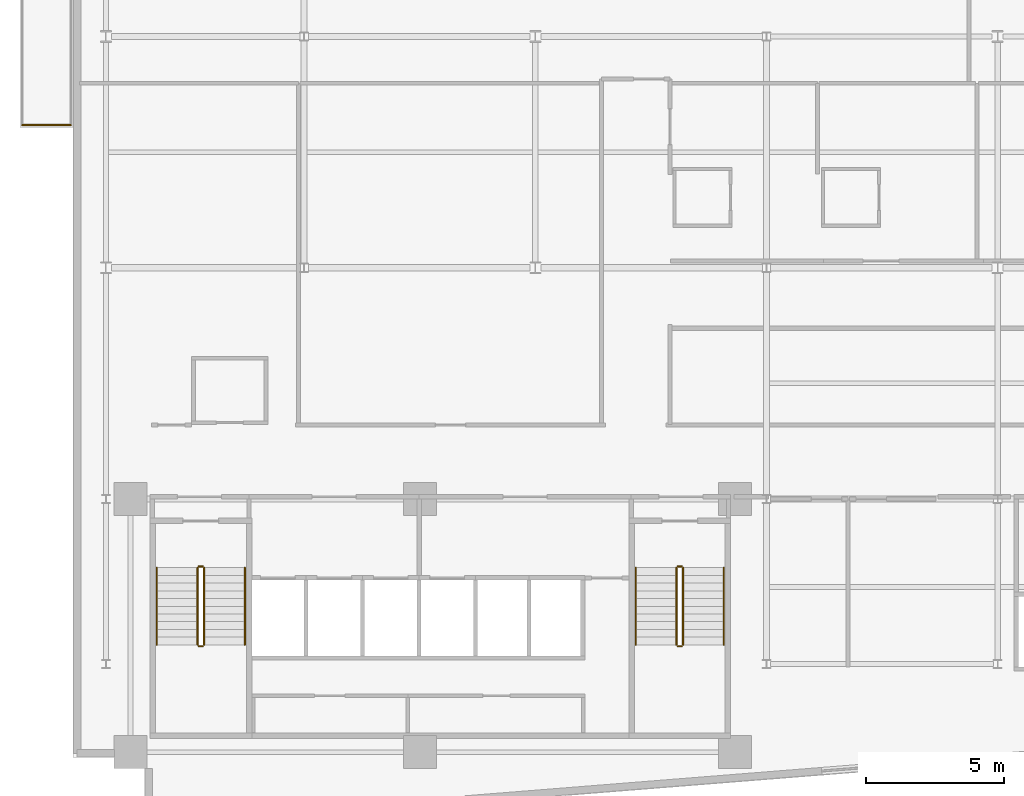
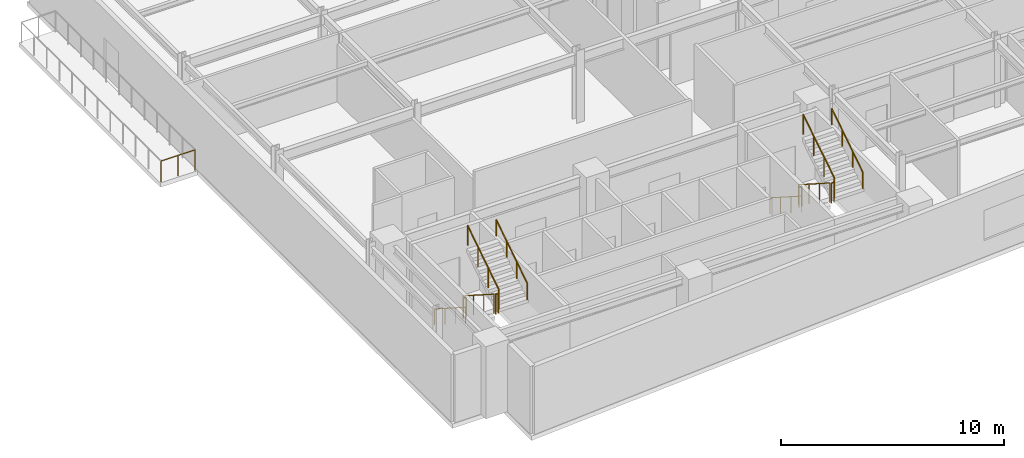
# One storey, part 14 of 18: 13 railings.
"""IFC4 building model written with IfcOpenShell, lengths in metres."""

from ifc_helpers import new_model, si_unit, direction, frame, origin, origin_2d, place, context, subcontext, project, spatial, circle, extrude, material, type_object, element, save


model = new_model("IFC4")

# Units and contexts
model_context = context("Model", 3, precision=1e-05, world=origin(), true_north=direction((0.0, 1.0)))
body_context = subcontext(model_context, "Body", "Model", "MODEL_VIEW")
ifc_project = project(units=[si_unit("LENGTHUNIT", "METRE"), si_unit("AREAUNIT", "SQUARE_METRE"), si_unit("VOLUMEUNIT", "CUBIC_METRE"), si_unit("PLANEANGLEUNIT", "RADIAN"), si_unit("MASSUNIT", "GRAM", prefix="KILO")], contexts=[model_context])

# Site, building, storey
site_placement = place(None, origin())
site = spatial("IfcSite", under=ifc_project, at=site_placement, CompositionType="ELEMENT")
building_placement = place(site_placement, origin())
building = spatial("IfcBuilding", under=site, at=building_placement, Name="Varnakote Quay Hospital", CompositionType="ELEMENT")
storey_placement = place(building_placement, frame((0.0, 0.0, 142.85009765625)))
storey = spatial("IfcBuildingStorey", under=building, at=storey_placement, Name="L35", CompositionType="ELEMENT", Elevation=142.85009765625)

# Railings
ifc_material_1 = material(Name="Anodised aluminium 6063-T6 Bronze", Category="aluminium")
railing_type_1 = type_object("IfcRailingType", Name="RLG-EXT-GUARD-1150", PredefinedType="GUARDRAIL", material=ifc_material_1)
railing_1_placement = place(storey_placement, frame((-0.075927734375, 25.580078125, 0.0)))
element("IfcRailing", 1, at=railing_1_placement, inside=storey, type_object=railing_type_1, Name="L35 Zigzag Prow Healing Terrace Safety Guard", PredefinedType="GUARDRAIL", context=body_context, shape_type="SweptSolid", body=[
    extrude(circle(Radius=0.02392578125, at=origin_2d()), frame((0.0, 0.0, 1.1259765625), z_axis=(-1.0, 0.0, 0.0), x_axis=(0.0, -1.0, 0.0)), (0.0, 0.0, 1.0), 1.76416015625),
    extrude(circle(Radius=0.02099609375, at=origin_2d()), origin(), (0.0, 0.0, 1.0), 1.101806640625),
    extrude(circle(Radius=0.02099609375, at=origin_2d()), frame((-0.882080078125, 0.0, 0.0)), (0.0, 0.0, 1.0), 1.101806640625),
    extrude(circle(Radius=0.02099609375, at=origin_2d()), frame((-1.76416015625, 0.0, 0.0)), (0.0, 0.0, 1.0), 1.101806640625),
])
ifc_material_2 = material(Name="Brushed stainless steel balustrade", Category="steel")
railing_type_2 = type_object("IfcRailingType", Name="RLG-STAIR-GUARD-1150", PredefinedType="GUARDRAIL", material=ifc_material_2)
railing_2_placement = place(storey_placement, frame((4.530029296875, 9.5, 0.179443359375)))
element("IfcRailing", 2, at=railing_2_placement, inside=storey, type_object=railing_type_2, Name="L35 ST-01 stair guard 1", PredefinedType="GUARDRAIL", context=body_context, shape_type="SweptSolid", body=[
    extrude(circle(Radius=0.02392578125, at=origin_2d()), frame((0.0, 0.0, 1.076171875), z_axis=(0.0, -0.841809871826, 0.539774156196), x_axis=(1.0, 0.0, 0.0)), (0.0, 0.0, 1.0), 3.326171875),
    extrude(circle(Radius=0.02099609375, at=origin_2d()), origin(), (0.0, 0.0, 1.0), 1.052001953125),
    extrude(circle(Radius=0.02099609375, at=origin_2d()), frame((0.0, -0.933349609375, 0.598388671875)), (0.0, 0.0, 1.0), 1.052001953125),
    extrude(circle(Radius=0.02099609375, at=origin_2d()), frame((0.0, -1.86669921875, 1.197021484375)), (0.0, 0.0, 1.0), 1.052001953125),
    extrude(circle(Radius=0.02099609375, at=origin_2d()), frame((0.0, -2.800048828125, 1.79541015625)), (0.0, 0.0, 1.0), 1.052001953125),
])
railing_3_placement = place(storey_placement, frame((4.580078125, 6.64990234375, 1.974853515625)))
element("IfcRailing", 3, at=railing_3_placement, inside=storey, type_object=railing_type_2, Name="L35 ST-01 stair guard 2", PredefinedType="GUARDRAIL", context=body_context, shape_type="SweptSolid", body=[
    extrude(circle(Radius=0.02392578125, at=origin_2d()), frame((0.0, 0.0, 1.076171875), z_axis=(1.0, 0.0, 0.0), x_axis=(0.0, 1.0, 0.0)), (0.0, 0.0, 1.0), 0.139892578125),
    extrude(circle(Radius=0.02099609375, at=origin_2d()), origin(), (0.0, 0.0, 1.0), 1.052001953125),
    extrude(circle(Radius=0.02099609375, at=origin_2d()), frame((0.139892578125, 0.0, 0.0)), (0.0, 0.0, 1.0), 1.052001953125),
])
railing_4_placement = place(storey_placement, frame((4.77001953125, 6.699951171875, 2.154541015625)))
element("IfcRailing", 4, at=railing_4_placement, inside=storey, type_object=railing_type_2, Name="L35 ST-01 stair guard 3", PredefinedType="GUARDRAIL", context=body_context, shape_type="SweptSolid", body=[
    extrude(circle(Radius=0.02392578125, at=origin_2d()), frame((0.0, 0.0, 1.076171875), z_axis=(0.0, 0.841809871826, 0.539774156196), x_axis=(-1.0, 0.0, 0.0)), (0.0, 0.0, 1.0), 3.326171875),
    extrude(circle(Radius=0.02099609375, at=origin_2d()), origin(), (0.0, 0.0, 1.0), 1.052001953125),
    extrude(circle(Radius=0.02099609375, at=origin_2d()), frame((0.0, 0.933349609375, 0.598388671875)), (0.0, 0.0, 1.0), 1.052001953125),
    extrude(circle(Radius=0.02099609375, at=origin_2d()), frame((0.0, 1.86669921875, 1.197021484375)), (0.0, 0.0, 1.0), 1.052001953125),
    extrude(circle(Radius=0.02099609375, at=origin_2d()), frame((0.0, 2.800048828125, 1.79541015625)), (0.0, 0.0, 1.0), 1.052001953125),
])
railing_5_placement = place(storey_placement, frame((4.580078125, 9.550048828125, 0.0)))
element("IfcRailing", 5, at=railing_5_placement, inside=storey, type_object=railing_type_2, Name="L35 ST-01 stair guard 4", PredefinedType="GUARDRAIL", context=body_context, shape_type="SweptSolid", body=[
    extrude(circle(Radius=0.02392578125, at=origin_2d()), frame((0.0, 0.0, 1.076171875), z_axis=(1.0, 0.0, 0.0), x_axis=(0.0, 1.0, 0.0)), (0.0, 0.0, 1.0), 0.139892578125),
    extrude(circle(Radius=0.02099609375, at=origin_2d()), origin(), (0.0, 0.0, 1.0), 1.052001953125),
    extrude(circle(Radius=0.02099609375, at=origin_2d()), frame((0.139892578125, 0.0, 0.0)), (0.0, 0.0, 1.0), 1.052001953125),
])
railing_6_placement = place(storey_placement, frame((21.929931640625, 9.5, 0.179443359375)))
element("IfcRailing", 6, at=railing_6_placement, inside=storey, type_object=railing_type_2, Name="L35 ST-02 stair guard 1", PredefinedType="GUARDRAIL", context=body_context, shape_type="SweptSolid", body=[
    extrude(circle(Radius=0.02392578125, at=origin_2d()), frame((0.0, 0.0, 1.076171875), z_axis=(0.0, -0.841809871826, 0.539774156196), x_axis=(1.0, 0.0, 0.0)), (0.0, 0.0, 1.0), 3.326171875),
    extrude(circle(Radius=0.02099609375, at=origin_2d()), origin(), (0.0, 0.0, 1.0), 1.052001953125),
    extrude(circle(Radius=0.02099609375, at=origin_2d()), frame((0.0, -0.933349609375, 0.598388671875)), (0.0, 0.0, 1.0), 1.052001953125),
    extrude(circle(Radius=0.02099609375, at=origin_2d()), frame((0.0, -1.86669921875, 1.197021484375)), (0.0, 0.0, 1.0), 1.052001953125),
    extrude(circle(Radius=0.02099609375, at=origin_2d()), frame((0.0, -2.800048828125, 1.79541015625)), (0.0, 0.0, 1.0), 1.052001953125),
])
railing_7_placement = place(storey_placement, frame((21.97998046875, 6.64990234375, 1.974853515625)))
element("IfcRailing", 7, at=railing_7_placement, inside=storey, type_object=railing_type_2, Name="L35 ST-02 stair guard 2", PredefinedType="GUARDRAIL", context=body_context, shape_type="SweptSolid", body=[
    extrude(circle(Radius=0.02392578125, at=origin_2d()), frame((0.0, 0.0, 1.076171875), z_axis=(1.0, 0.0, 0.0), x_axis=(0.0, 1.0, 0.0)), (0.0, 0.0, 1.0), 0.14013671875),
    extrude(circle(Radius=0.02099609375, at=origin_2d()), origin(), (0.0, 0.0, 1.0), 1.052001953125),
    extrude(circle(Radius=0.02099609375, at=origin_2d()), frame((0.14013671875, 0.0, 0.0)), (0.0, 0.0, 1.0), 1.052001953125),
])
railing_8_placement = place(storey_placement, frame((22.169921875, 6.699951171875, 2.154541015625)))
element("IfcRailing", 8, at=railing_8_placement, inside=storey, type_object=railing_type_2, Name="L35 ST-02 stair guard 3", PredefinedType="GUARDRAIL", context=body_context, shape_type="SweptSolid", body=[
    extrude(circle(Radius=0.02392578125, at=origin_2d()), frame((0.0, 0.0, 1.076171875), z_axis=(0.0, 0.841809871826, 0.539774156196), x_axis=(-1.0, 0.0, 0.0)), (0.0, 0.0, 1.0), 3.326171875),
    extrude(circle(Radius=0.02099609375, at=origin_2d()), origin(), (0.0, 0.0, 1.0), 1.052001953125),
    extrude(circle(Radius=0.02099609375, at=origin_2d()), frame((0.0, 0.933349609375, 0.598388671875)), (0.0, 0.0, 1.0), 1.052001953125),
    extrude(circle(Radius=0.02099609375, at=origin_2d()), frame((0.0, 1.86669921875, 1.197021484375)), (0.0, 0.0, 1.0), 1.052001953125),
    extrude(circle(Radius=0.02099609375, at=origin_2d()), frame((0.0, 2.800048828125, 1.79541015625)), (0.0, 0.0, 1.0), 1.052001953125),
])
railing_9_placement = place(storey_placement, frame((21.97998046875, 9.550048828125, 0.0)))
element("IfcRailing", 9, at=railing_9_placement, inside=storey, type_object=railing_type_2, Name="L35 ST-02 stair guard 4", PredefinedType="GUARDRAIL", context=body_context, shape_type="SweptSolid", body=[
    extrude(circle(Radius=0.02392578125, at=origin_2d()), frame((0.0, 0.0, 1.076171875), z_axis=(1.0, 0.0, 0.0), x_axis=(0.0, 1.0, 0.0)), (0.0, 0.0, 1.0), 0.14013671875),
    extrude(circle(Radius=0.02099609375, at=origin_2d()), origin(), (0.0, 0.0, 1.0), 1.052001953125),
    extrude(circle(Radius=0.02099609375, at=origin_2d()), frame((0.14013671875, 0.0, 0.0)), (0.0, 0.0, 1.0), 1.052001953125),
])
ifc_material_3 = material(Name="Brushed stainless steel handrail", Category="steel")
railing_type_3 = type_object("IfcRailingType", Name="RLG-STAIR-HND-920", PredefinedType="HANDRAIL", material=ifc_material_3)
railing_10_placement = place(storey_placement, frame((3.050048828125, 9.5, 0.179443359375)))
element("IfcRailing", 10, at=railing_10_placement, inside=storey, type_object=railing_type_3, Name="L35 ST-01 stair handrail 1", PredefinedType="HANDRAIL", context=body_context, shape_type="SweptSolid", body=[
    extrude(circle(Radius=0.02392578125, at=origin_2d()), frame((0.0, 0.0, 0.8759765625), z_axis=(0.0, -0.841809871826, 0.539774156196), x_axis=(1.0, 0.0, 0.0)), (0.0, 0.0, 1.0), 3.326171875),
    extrude(circle(Radius=0.02099609375, at=origin_2d()), origin(), (0.0, 0.0, 1.0), 0.851806640625),
    extrude(circle(Radius=0.02099609375, at=origin_2d()), frame((0.0, -0.933349609375, 0.598388671875)), (0.0, 0.0, 1.0), 0.851806640625),
    extrude(circle(Radius=0.02099609375, at=origin_2d()), frame((0.0, -1.86669921875, 1.197021484375)), (0.0, 0.0, 1.0), 0.851806640625),
    extrude(circle(Radius=0.02099609375, at=origin_2d()), frame((0.0, -2.800048828125, 1.79541015625)), (0.0, 0.0, 1.0), 0.851806640625),
])
railing_11_placement = place(storey_placement, frame((6.25, 6.699951171875, 2.154541015625)))
element("IfcRailing", 11, at=railing_11_placement, inside=storey, type_object=railing_type_3, Name="L35 ST-01 stair handrail 2", PredefinedType="HANDRAIL", context=body_context, shape_type="SweptSolid", body=[
    extrude(circle(Radius=0.02392578125, at=origin_2d()), frame((0.0, 0.0, 0.8759765625), z_axis=(0.0, 0.841809871826, 0.539774156196), x_axis=(-1.0, 0.0, 0.0)), (0.0, 0.0, 1.0), 3.326171875),
    extrude(circle(Radius=0.02099609375, at=origin_2d()), origin(), (0.0, 0.0, 1.0), 0.851806640625),
    extrude(circle(Radius=0.02099609375, at=origin_2d()), frame((0.0, 0.933349609375, 0.598388671875)), (0.0, 0.0, 1.0), 0.851806640625),
    extrude(circle(Radius=0.02099609375, at=origin_2d()), frame((0.0, 1.86669921875, 1.197021484375)), (0.0, 0.0, 1.0), 0.851806640625),
    extrude(circle(Radius=0.02099609375, at=origin_2d()), frame((0.0, 2.800048828125, 1.79541015625)), (0.0, 0.0, 1.0), 0.851806640625),
])
railing_12_placement = place(storey_placement, frame((20.449951171875, 9.5, 0.179443359375)))
element("IfcRailing", 12, at=railing_12_placement, inside=storey, type_object=railing_type_3, Name="L35 ST-02 stair handrail 1", PredefinedType="HANDRAIL", context=body_context, shape_type="SweptSolid", body=[
    extrude(circle(Radius=0.02392578125, at=origin_2d()), frame((0.0, 0.0, 0.8759765625), z_axis=(0.0, -0.841809871826, 0.539774156196), x_axis=(1.0, 0.0, 0.0)), (0.0, 0.0, 1.0), 3.326171875),
    extrude(circle(Radius=0.02099609375, at=origin_2d()), origin(), (0.0, 0.0, 1.0), 0.851806640625),
    extrude(circle(Radius=0.02099609375, at=origin_2d()), frame((0.0, -0.933349609375, 0.598388671875)), (0.0, 0.0, 1.0), 0.851806640625),
    extrude(circle(Radius=0.02099609375, at=origin_2d()), frame((0.0, -1.86669921875, 1.197021484375)), (0.0, 0.0, 1.0), 0.851806640625),
    extrude(circle(Radius=0.02099609375, at=origin_2d()), frame((0.0, -2.800048828125, 1.79541015625)), (0.0, 0.0, 1.0), 0.851806640625),
])
railing_13_placement = place(storey_placement, frame((23.64990234375, 6.699951171875, 2.154541015625)))
element("IfcRailing", 13, at=railing_13_placement, inside=storey, type_object=railing_type_3, Name="L35 ST-02 stair handrail 2", PredefinedType="HANDRAIL", context=body_context, shape_type="SweptSolid", body=[
    extrude(circle(Radius=0.02392578125, at=origin_2d()), frame((0.0, 0.0, 0.8759765625), z_axis=(0.0, 0.841809871826, 0.539774156196), x_axis=(-1.0, 0.0, 0.0)), (0.0, 0.0, 1.0), 3.326171875),
    extrude(circle(Radius=0.02099609375, at=origin_2d()), origin(), (0.0, 0.0, 1.0), 0.851806640625),
    extrude(circle(Radius=0.02099609375, at=origin_2d()), frame((0.0, 0.933349609375, 0.598388671875)), (0.0, 0.0, 1.0), 0.851806640625),
    extrude(circle(Radius=0.02099609375, at=origin_2d()), frame((0.0, 1.86669921875, 1.197021484375)), (0.0, 0.0, 1.0), 0.851806640625),
    extrude(circle(Radius=0.02099609375, at=origin_2d()), frame((0.0, 2.800048828125, 1.79541015625)), (0.0, 0.0, 1.0), 0.851806640625),
])

save(model, "model.ifc")
